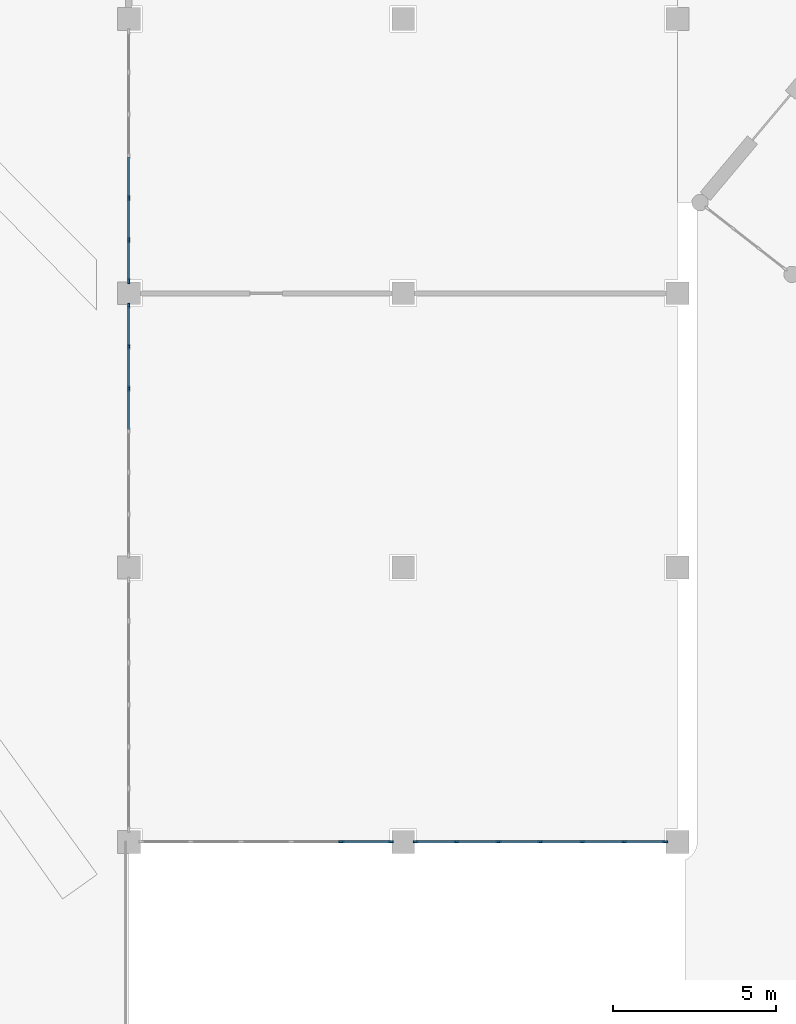
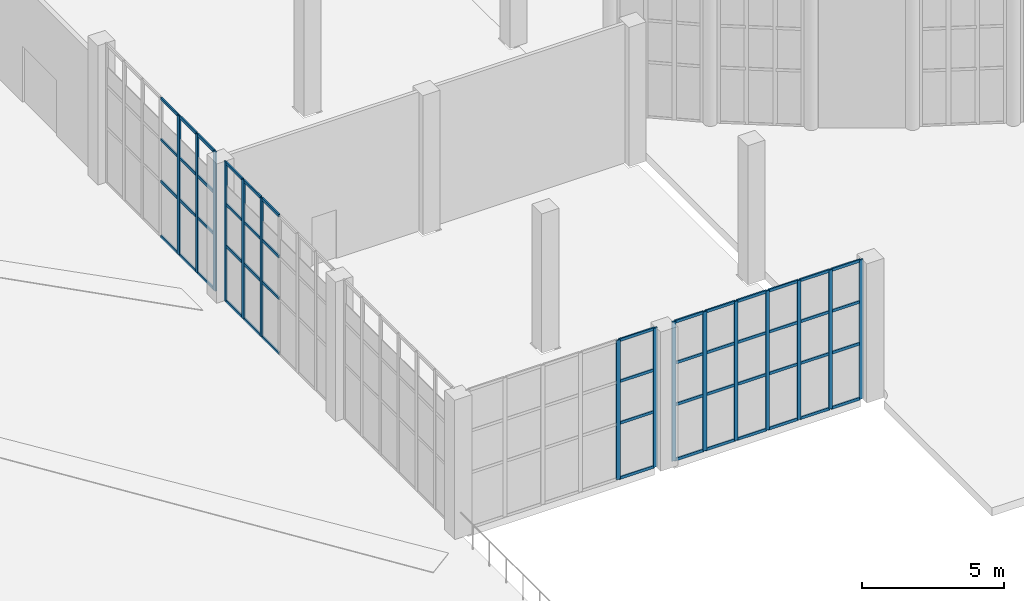
# One storey, part 43 of 210: 67 members, 4 elements without a shape of their own.
"""IFC4 building model written with IfcOpenShell, lengths in metres."""

from ifc_helpers import new_model, si_unit, direction, frame, origin, origin_2d, place, context, subcontext, project, spatial, rectangle, extrude, material, layer, layer_set, material_profile, profile_set, type_object, element, aggregate, save


model = new_model("IFC4")

# Units and contexts
model_context = context("Model", 3, precision=1e-05, world=origin(), true_north=direction((0.0, 1.0)))
body_context = subcontext(model_context, "Body", "Model", "MODEL_VIEW")
ifc_project = project(units=[si_unit("LENGTHUNIT", "METRE"), si_unit("AREAUNIT", "SQUARE_METRE"), si_unit("VOLUMEUNIT", "CUBIC_METRE"), si_unit("PLANEANGLEUNIT", "RADIAN"), si_unit("MASSUNIT", "GRAM", prefix="KILO")], contexts=[model_context])

# Site, building, storey
site_placement = place(None, origin())
site = spatial("IfcSite", under=ifc_project, at=site_placement, CompositionType="ELEMENT")
building_placement = place(site_placement, origin())
building = spatial("IfcBuilding", under=site, at=building_placement, Name="Rain Tree Exposition and Congress Centre", CompositionType="ELEMENT")
storey_placement = place(building_placement, origin())
storey = spatial("IfcBuildingStorey", under=building, at=storey_placement, Name="L00", CompositionType="ELEMENT", Elevation=0.0)

# Curtain wall, members
ifc_material_1 = material(Name="Aluminium", Category="aluminium")
ifc_layer = layer(ifc_material_1, 0.10009765625)
ifc_layer_set = layer_set([ifc_layer], Name="Aluminium")
curtain_wall_type = type_object("IfcCurtainWallType", Name="Curtain wall congress", PredefinedType="NOTDEFINED", material=ifc_layer_set)
curtain_wall_1_placement = place(storey_placement, origin())
curtain_wall_1 = element("IfcCurtainWall", 1, at=curtain_wall_1_placement, inside=storey, type_object=curtain_wall_type, Name="Foyer curtain wall L00 bay 2", PredefinedType="NOTDEFINED")
ifc_material_2 = material(Name="Aluminium", Category="aluminium")
ifc_material_profile_1 = material_profile(ifc_material_2, rectangle(XDim=0.06005859375, YDim=0.159912109375, at=origin_2d()), Name="AL 60x160")
ifc_profile_set_1 = profile_set([ifc_material_profile_1], Name="Aluminium")
member_type_1 = type_object("IfcMemberType", Name="Curtain wall mullion 60x160 congress", PredefinedType="MULLION", material=ifc_profile_set_1)
member_1_placement = place(storey_placement, frame((151.199951171875, 22.283447265625, 0.0), z_axis=(0.0, 0.0, 1.0), x_axis=(-1.0, 0.0, 0.0)))
member_1 = element("IfcMember", 2, at=member_1_placement, type_object=member_type_1, Name="CWG302 mullion 5", PredefinedType="MULLION", context=body_context, shape_type="SweptSolid", body=[
    extrude(rectangle(XDim=0.06005859375, YDim=0.159912109375, at=origin_2d()), origin(), (0.0, 0.0, 1.0), 6.0),
])
member_2_placement = place(storey_placement, frame((151.199951171875, 23.566650390625, 0.0), z_axis=(0.0, 0.0, 1.0), x_axis=(-1.0, 0.0, 0.0)))
member_2 = element("IfcMember", 3, at=member_2_placement, type_object=member_type_1, Name="CWG302 mullion 6", PredefinedType="MULLION", context=body_context, shape_type="SweptSolid", body=[
    extrude(rectangle(XDim=0.06005859375, YDim=0.159912109375, at=origin_2d()), origin(), (0.0, 0.0, 1.0), 6.0),
])
member_3_placement = place(storey_placement, frame((151.199951171875, 24.820068359375, 0.0), z_axis=(0.0, 0.0, 1.0), x_axis=(-1.0, 0.0, 0.0)))
member_3 = element("IfcMember", 4, at=member_3_placement, type_object=member_type_1, Name="CWG302 mullion 7", PredefinedType="MULLION", context=body_context, shape_type="SweptSolid", body=[
    extrude(rectangle(XDim=0.06005859375, YDim=0.159912109375, at=origin_2d()), origin(), (0.0, 0.0, 1.0), 6.0),
])

curtain_wall_2_placement = place(storey_placement, origin())
curtain_wall_2 = element("IfcCurtainWall", 5, at=curtain_wall_2_placement, inside=storey, type_object=curtain_wall_type, Name="Foyer curtain wall L00 bay 3", PredefinedType="NOTDEFINED")
member_4_placement = place(storey_placement, frame((151.199951171875, 25.580078125, 0.0), z_axis=(0.0, 0.0, 1.0), x_axis=(-1.0, 0.0, 0.0)))
member_4 = element("IfcMember", 6, at=member_4_placement, type_object=member_type_1, Name="CWG303 mullion 1", PredefinedType="MULLION", context=body_context, shape_type="SweptSolid", body=[
    extrude(rectangle(XDim=0.06005859375, YDim=0.159912109375, at=origin_2d()), origin(), (0.0, 0.0, 1.0), 6.0),
])
member_5_placement = place(storey_placement, frame((151.199951171875, 26.833251953125, 0.0), z_axis=(0.0, 0.0, 1.0), x_axis=(-1.0, 0.0, 0.0)))
member_5 = element("IfcMember", 7, at=member_5_placement, type_object=member_type_1, Name="CWG303 mullion 2", PredefinedType="MULLION", context=body_context, shape_type="SweptSolid", body=[
    extrude(rectangle(XDim=0.06005859375, YDim=0.159912109375, at=origin_2d()), origin(), (0.0, 0.0, 1.0), 6.0),
])
member_6_placement = place(storey_placement, frame((151.199951171875, 28.11669921875, 0.0), z_axis=(0.0, 0.0, 1.0), x_axis=(-1.0, 0.0, 0.0)))
member_6 = element("IfcMember", 8, at=member_6_placement, type_object=member_type_1, Name="CWG303 mullion 3", PredefinedType="MULLION", context=body_context, shape_type="SweptSolid", body=[
    extrude(rectangle(XDim=0.06005859375, YDim=0.159912109375, at=origin_2d()), origin(), (0.0, 0.0, 1.0), 6.0),
])

curtain_wall_3_placement = place(storey_placement, origin())
curtain_wall_3 = element("IfcCurtainWall", 9, at=curtain_wall_3_placement, inside=storey, type_object=curtain_wall_type, Name="Foyer south curtain wall L00 bay 1", PredefinedType="NOTDEFINED")
member_7_placement = place(storey_placement, frame((157.7099609375, 8.39990234375, 0.0), z_axis=(0.0, 0.0, 1.0), x_axis=(0.0, 1.0, 0.0)))
member_7 = element("IfcMember", 10, at=member_7_placement, type_object=member_type_1, Name="CWG501 mullion 5", PredefinedType="MULLION", context=body_context, shape_type="SweptSolid", body=[
    extrude(rectangle(XDim=0.06005859375, YDim=0.159912109375, at=origin_2d()), origin(), (0.0, 0.0, 1.0), 6.0),
])
member_8_placement = place(storey_placement, frame((159.219970703125, 8.39990234375, 0.0), z_axis=(0.0, 0.0, 1.0), x_axis=(0.0, 1.0, 0.0)))
member_8 = element("IfcMember", 11, at=member_8_placement, type_object=member_type_1, Name="CWG501 mullion 6", PredefinedType="MULLION", context=body_context, shape_type="SweptSolid", body=[
    extrude(rectangle(XDim=0.06005859375, YDim=0.159912109375, at=origin_2d()), origin(), (0.0, 0.0, 1.0), 6.0),
])

curtain_wall_4_placement = place(storey_placement, origin())
curtain_wall_4 = element("IfcCurtainWall", 12, at=curtain_wall_4_placement, inside=storey, type_object=curtain_wall_type, Name="Foyer south curtain wall L00 bay 2", PredefinedType="NOTDEFINED")
member_9_placement = place(storey_placement, frame((159.97998046875, 8.39990234375, 0.0), z_axis=(0.0, 0.0, 1.0), x_axis=(0.0, 1.0, 0.0)))
member_9 = element("IfcMember", 13, at=member_9_placement, type_object=member_type_1, Name="CWG502 mullion 1", PredefinedType="MULLION", context=body_context, shape_type="SweptSolid", body=[
    extrude(rectangle(XDim=0.06005859375, YDim=0.159912109375, at=origin_2d()), origin(), (0.0, 0.0, 1.0), 6.0),
])
member_10_placement = place(storey_placement, frame((161.2333984375, 8.39990234375, 0.0), z_axis=(0.0, 0.0, 1.0), x_axis=(0.0, 1.0, 0.0)))
member_10 = element("IfcMember", 14, at=member_10_placement, type_object=member_type_1, Name="CWG502 mullion 2", PredefinedType="MULLION", context=body_context, shape_type="SweptSolid", body=[
    extrude(rectangle(XDim=0.06005859375, YDim=0.159912109375, at=origin_2d()), origin(), (0.0, 0.0, 1.0), 6.0),
])
member_11_placement = place(storey_placement, frame((162.5166015625, 8.39990234375, 0.0), z_axis=(0.0, 0.0, 1.0), x_axis=(0.0, 1.0, 0.0)))
member_11 = element("IfcMember", 15, at=member_11_placement, type_object=member_type_1, Name="CWG502 mullion 3", PredefinedType="MULLION", context=body_context, shape_type="SweptSolid", body=[
    extrude(rectangle(XDim=0.06005859375, YDim=0.159912109375, at=origin_2d()), origin(), (0.0, 0.0, 1.0), 6.0),
])
member_12_placement = place(storey_placement, frame((163.800048828125, 8.39990234375, 0.0), z_axis=(0.0, 0.0, 1.0), x_axis=(0.0, 1.0, 0.0)))
member_12 = element("IfcMember", 16, at=member_12_placement, type_object=member_type_1, Name="CWG502 mullion 4", PredefinedType="MULLION", context=body_context, shape_type="SweptSolid", body=[
    extrude(rectangle(XDim=0.06005859375, YDim=0.159912109375, at=origin_2d()), origin(), (0.0, 0.0, 1.0), 6.0),
])
member_13_placement = place(storey_placement, frame((165.083251953125, 8.39990234375, 0.0), z_axis=(0.0, 0.0, 1.0), x_axis=(0.0, 1.0, 0.0)))
member_13 = element("IfcMember", 17, at=member_13_placement, type_object=member_type_1, Name="CWG502 mullion 5", PredefinedType="MULLION", context=body_context, shape_type="SweptSolid", body=[
    extrude(rectangle(XDim=0.06005859375, YDim=0.159912109375, at=origin_2d()), origin(), (0.0, 0.0, 1.0), 6.0),
])
member_14_placement = place(storey_placement, frame((166.36669921875, 8.39990234375, 0.0), z_axis=(0.0, 0.0, 1.0), x_axis=(0.0, 1.0, 0.0)))
member_14 = element("IfcMember", 18, at=member_14_placement, type_object=member_type_1, Name="CWG502 mullion 6", PredefinedType="MULLION", context=body_context, shape_type="SweptSolid", body=[
    extrude(rectangle(XDim=0.06005859375, YDim=0.159912109375, at=origin_2d()), origin(), (0.0, 0.0, 1.0), 6.0),
])
member_15_placement = place(storey_placement, frame((167.6201171875, 8.39990234375, 0.0), z_axis=(0.0, 0.0, 1.0), x_axis=(0.0, 1.0, 0.0)))
member_15 = element("IfcMember", 19, at=member_15_placement, type_object=member_type_1, Name="CWG502 mullion 7", PredefinedType="MULLION", context=body_context, shape_type="SweptSolid", body=[
    extrude(rectangle(XDim=0.06005859375, YDim=0.159912109375, at=origin_2d()), origin(), (0.0, 0.0, 1.0), 6.0),
])

# Member
ifc_material_3 = material(Name="Aluminium", Category="aluminium")
ifc_material_profile_2 = material_profile(ifc_material_3, rectangle(XDim=0.06005859375, YDim=0.1201171875, at=origin_2d()), Name="AL 60x120")
ifc_profile_set_2 = profile_set([ifc_material_profile_2], Name="Aluminium")
member_type_2 = type_object("IfcMemberType", Name="Curtain wall transom 60x120 congress", PredefinedType="USERDEFINED", material=ifc_profile_set_2)
member_16_placement = place(storey_placement, frame((151.199951171875, 21.030029296875, 0.030029296875), z_axis=(0.0, 1.0, 0.0), x_axis=(-1.0, 0.0, 0.0)))
member_16 = element("IfcMember", 20, at=member_16_placement, type_object=member_type_2, Name="CWG302 transom 4.1", ObjectType="TRANSOM", PredefinedType="USERDEFINED", context=body_context, shape_type="SweptSolid", body=[
    extrude(rectangle(XDim=0.06005859375, YDim=0.1201171875, at=origin_2d()), origin(), (0.0, 0.0, 1.0), 1.223388671875),
])

member_17_placement = place(storey_placement, frame((151.199951171875, 21.030029296875, 2.39990234375), z_axis=(0.0, 1.0, 0.0), x_axis=(-1.0, 0.0, 0.0)))
member_17 = element("IfcMember", 21, at=member_17_placement, type_object=member_type_2, Name="CWG302 transom 4.2", ObjectType="TRANSOM", PredefinedType="USERDEFINED", context=body_context, shape_type="SweptSolid", body=[
    extrude(rectangle(XDim=0.06005859375, YDim=0.1201171875, at=origin_2d()), origin(), (0.0, 0.0, 1.0), 1.223388671875),
])

member_18_placement = place(storey_placement, frame((151.199951171875, 21.030029296875, 4.199951171875), z_axis=(0.0, 1.0, 0.0), x_axis=(-1.0, 0.0, 0.0)))
member_18 = element("IfcMember", 22, at=member_18_placement, type_object=member_type_2, Name="CWG302 transom 4.3", ObjectType="TRANSOM", PredefinedType="USERDEFINED", context=body_context, shape_type="SweptSolid", body=[
    extrude(rectangle(XDim=0.06005859375, YDim=0.1201171875, at=origin_2d()), origin(), (0.0, 0.0, 1.0), 1.223388671875),
])

member_19_placement = place(storey_placement, frame((151.199951171875, 21.030029296875, 5.969970703125), z_axis=(0.0, 1.0, 0.0), x_axis=(-1.0, 0.0, 0.0)))
member_19 = element("IfcMember", 23, at=member_19_placement, type_object=member_type_2, Name="CWG302 transom 4.4", ObjectType="TRANSOM", PredefinedType="USERDEFINED", context=body_context, shape_type="SweptSolid", body=[
    extrude(rectangle(XDim=0.06005859375, YDim=0.1201171875, at=origin_2d()), origin(), (0.0, 0.0, 1.0), 1.223388671875),
])

member_20_placement = place(storey_placement, frame((151.199951171875, 22.313232421875, 0.030029296875), z_axis=(0.0, 1.0, 0.0), x_axis=(-1.0, 0.0, 0.0)))
member_20 = element("IfcMember", 24, at=member_20_placement, type_object=member_type_2, Name="CWG302 transom 5.1", ObjectType="TRANSOM", PredefinedType="USERDEFINED", context=body_context, shape_type="SweptSolid", body=[
    extrude(rectangle(XDim=0.06005859375, YDim=0.1201171875, at=origin_2d()), origin(), (0.0, 0.0, 1.0), 1.223388671875),
])

member_21_placement = place(storey_placement, frame((151.199951171875, 22.313232421875, 2.39990234375), z_axis=(0.0, 1.0, 0.0), x_axis=(-1.0, 0.0, 0.0)))
member_21 = element("IfcMember", 25, at=member_21_placement, type_object=member_type_2, Name="CWG302 transom 5.2", ObjectType="TRANSOM", PredefinedType="USERDEFINED", context=body_context, shape_type="SweptSolid", body=[
    extrude(rectangle(XDim=0.06005859375, YDim=0.1201171875, at=origin_2d()), origin(), (0.0, 0.0, 1.0), 1.223388671875),
])

member_22_placement = place(storey_placement, frame((151.199951171875, 22.313232421875, 4.199951171875), z_axis=(0.0, 1.0, 0.0), x_axis=(-1.0, 0.0, 0.0)))
member_22 = element("IfcMember", 26, at=member_22_placement, type_object=member_type_2, Name="CWG302 transom 5.3", ObjectType="TRANSOM", PredefinedType="USERDEFINED", context=body_context, shape_type="SweptSolid", body=[
    extrude(rectangle(XDim=0.06005859375, YDim=0.1201171875, at=origin_2d()), origin(), (0.0, 0.0, 1.0), 1.223388671875),
])

member_23_placement = place(storey_placement, frame((151.199951171875, 22.313232421875, 5.969970703125), z_axis=(0.0, 1.0, 0.0), x_axis=(-1.0, 0.0, 0.0)))
member_23 = element("IfcMember", 27, at=member_23_placement, type_object=member_type_2, Name="CWG302 transom 5.4", ObjectType="TRANSOM", PredefinedType="USERDEFINED", context=body_context, shape_type="SweptSolid", body=[
    extrude(rectangle(XDim=0.06005859375, YDim=0.1201171875, at=origin_2d()), origin(), (0.0, 0.0, 1.0), 1.223388671875),
])

member_24_placement = place(storey_placement, frame((151.199951171875, 23.5966796875, 0.030029296875), z_axis=(0.0, 1.0, 0.0), x_axis=(-1.0, 0.0, 0.0)))
member_24 = element("IfcMember", 28, at=member_24_placement, type_object=member_type_2, Name="CWG302 transom 6.1", ObjectType="TRANSOM", PredefinedType="USERDEFINED", context=body_context, shape_type="SweptSolid", body=[
    extrude(rectangle(XDim=0.06005859375, YDim=0.1201171875, at=origin_2d()), origin(), (0.0, 0.0, 1.0), 1.193359375),
])

member_25_placement = place(storey_placement, frame((151.199951171875, 23.5966796875, 2.39990234375), z_axis=(0.0, 1.0, 0.0), x_axis=(-1.0, 0.0, 0.0)))
member_25 = element("IfcMember", 29, at=member_25_placement, type_object=member_type_2, Name="CWG302 transom 6.2", ObjectType="TRANSOM", PredefinedType="USERDEFINED", context=body_context, shape_type="SweptSolid", body=[
    extrude(rectangle(XDim=0.06005859375, YDim=0.1201171875, at=origin_2d()), origin(), (0.0, 0.0, 1.0), 1.193359375),
])

member_26_placement = place(storey_placement, frame((151.199951171875, 23.5966796875, 4.199951171875), z_axis=(0.0, 1.0, 0.0), x_axis=(-1.0, 0.0, 0.0)))
member_26 = element("IfcMember", 30, at=member_26_placement, type_object=member_type_2, Name="CWG302 transom 6.3", ObjectType="TRANSOM", PredefinedType="USERDEFINED", context=body_context, shape_type="SweptSolid", body=[
    extrude(rectangle(XDim=0.06005859375, YDim=0.1201171875, at=origin_2d()), origin(), (0.0, 0.0, 1.0), 1.193359375),
])

member_27_placement = place(storey_placement, frame((151.199951171875, 23.5966796875, 5.969970703125), z_axis=(0.0, 1.0, 0.0), x_axis=(-1.0, 0.0, 0.0)))
member_27 = element("IfcMember", 31, at=member_27_placement, type_object=member_type_2, Name="CWG302 transom 6.4", ObjectType="TRANSOM", PredefinedType="USERDEFINED", context=body_context, shape_type="SweptSolid", body=[
    extrude(rectangle(XDim=0.06005859375, YDim=0.1201171875, at=origin_2d()), origin(), (0.0, 0.0, 1.0), 1.193359375),
])

aggregate(curtain_wall_1, [member_1, member_2, member_3, member_16, member_17, member_18, member_19, member_20, member_21, member_22, member_23, member_24, member_25, member_26, member_27])

member_28_placement = place(storey_placement, frame((151.199951171875, 25.610107421875, 0.030029296875), z_axis=(0.0, 1.0, 0.0), x_axis=(-1.0, 0.0, 0.0)))
member_28 = element("IfcMember", 32, at=member_28_placement, type_object=member_type_2, Name="CWG303 transom 1.1", ObjectType="TRANSOM", PredefinedType="USERDEFINED", context=body_context, shape_type="SweptSolid", body=[
    extrude(rectangle(XDim=0.06005859375, YDim=0.1201171875, at=origin_2d()), origin(), (0.0, 0.0, 1.0), 1.193115234375),
])

member_29_placement = place(storey_placement, frame((151.199951171875, 25.610107421875, 2.39990234375), z_axis=(0.0, 1.0, 0.0), x_axis=(-1.0, 0.0, 0.0)))
member_29 = element("IfcMember", 33, at=member_29_placement, type_object=member_type_2, Name="CWG303 transom 1.2", ObjectType="TRANSOM", PredefinedType="USERDEFINED", context=body_context, shape_type="SweptSolid", body=[
    extrude(rectangle(XDim=0.06005859375, YDim=0.1201171875, at=origin_2d()), origin(), (0.0, 0.0, 1.0), 1.193115234375),
])

member_30_placement = place(storey_placement, frame((151.199951171875, 25.610107421875, 4.199951171875), z_axis=(0.0, 1.0, 0.0), x_axis=(-1.0, 0.0, 0.0)))
member_30 = element("IfcMember", 34, at=member_30_placement, type_object=member_type_2, Name="CWG303 transom 1.3", ObjectType="TRANSOM", PredefinedType="USERDEFINED", context=body_context, shape_type="SweptSolid", body=[
    extrude(rectangle(XDim=0.06005859375, YDim=0.1201171875, at=origin_2d()), origin(), (0.0, 0.0, 1.0), 1.193115234375),
])

member_31_placement = place(storey_placement, frame((151.199951171875, 25.610107421875, 5.969970703125), z_axis=(0.0, 1.0, 0.0), x_axis=(-1.0, 0.0, 0.0)))
member_31 = element("IfcMember", 35, at=member_31_placement, type_object=member_type_2, Name="CWG303 transom 1.4", ObjectType="TRANSOM", PredefinedType="USERDEFINED", context=body_context, shape_type="SweptSolid", body=[
    extrude(rectangle(XDim=0.06005859375, YDim=0.1201171875, at=origin_2d()), origin(), (0.0, 0.0, 1.0), 1.193115234375),
])

member_32_placement = place(storey_placement, frame((151.199951171875, 26.86328125, 0.030029296875), z_axis=(0.0, 1.0, 0.0), x_axis=(-1.0, 0.0, 0.0)))
member_32 = element("IfcMember", 36, at=member_32_placement, type_object=member_type_2, Name="CWG303 transom 2.1", ObjectType="TRANSOM", PredefinedType="USERDEFINED", context=body_context, shape_type="SweptSolid", body=[
    extrude(rectangle(XDim=0.06005859375, YDim=0.1201171875, at=origin_2d()), origin(), (0.0, 0.0, 1.0), 1.223388671875),
])

member_33_placement = place(storey_placement, frame((151.199951171875, 26.86328125, 2.39990234375), z_axis=(0.0, 1.0, 0.0), x_axis=(-1.0, 0.0, 0.0)))
member_33 = element("IfcMember", 37, at=member_33_placement, type_object=member_type_2, Name="CWG303 transom 2.2", ObjectType="TRANSOM", PredefinedType="USERDEFINED", context=body_context, shape_type="SweptSolid", body=[
    extrude(rectangle(XDim=0.06005859375, YDim=0.1201171875, at=origin_2d()), origin(), (0.0, 0.0, 1.0), 1.223388671875),
])

member_34_placement = place(storey_placement, frame((151.199951171875, 26.86328125, 4.199951171875), z_axis=(0.0, 1.0, 0.0), x_axis=(-1.0, 0.0, 0.0)))
member_34 = element("IfcMember", 38, at=member_34_placement, type_object=member_type_2, Name="CWG303 transom 2.3", ObjectType="TRANSOM", PredefinedType="USERDEFINED", context=body_context, shape_type="SweptSolid", body=[
    extrude(rectangle(XDim=0.06005859375, YDim=0.1201171875, at=origin_2d()), origin(), (0.0, 0.0, 1.0), 1.223388671875),
])

member_35_placement = place(storey_placement, frame((151.199951171875, 26.86328125, 5.969970703125), z_axis=(0.0, 1.0, 0.0), x_axis=(-1.0, 0.0, 0.0)))
member_35 = element("IfcMember", 39, at=member_35_placement, type_object=member_type_2, Name="CWG303 transom 2.4", ObjectType="TRANSOM", PredefinedType="USERDEFINED", context=body_context, shape_type="SweptSolid", body=[
    extrude(rectangle(XDim=0.06005859375, YDim=0.1201171875, at=origin_2d()), origin(), (0.0, 0.0, 1.0), 1.223388671875),
])

member_36_placement = place(storey_placement, frame((151.199951171875, 28.146728515625, 0.030029296875), z_axis=(0.0, 1.0, 0.0), x_axis=(-1.0, 0.0, 0.0)))
member_36 = element("IfcMember", 40, at=member_36_placement, type_object=member_type_2, Name="CWG303 transom 3.1", ObjectType="TRANSOM", PredefinedType="USERDEFINED", context=body_context, shape_type="SweptSolid", body=[
    extrude(rectangle(XDim=0.06005859375, YDim=0.1201171875, at=origin_2d()), origin(), (0.0, 0.0, 1.0), 1.223388671875),
])

member_37_placement = place(storey_placement, frame((151.199951171875, 28.146728515625, 2.39990234375), z_axis=(0.0, 1.0, 0.0), x_axis=(-1.0, 0.0, 0.0)))
member_37 = element("IfcMember", 41, at=member_37_placement, type_object=member_type_2, Name="CWG303 transom 3.2", ObjectType="TRANSOM", PredefinedType="USERDEFINED", context=body_context, shape_type="SweptSolid", body=[
    extrude(rectangle(XDim=0.06005859375, YDim=0.1201171875, at=origin_2d()), origin(), (0.0, 0.0, 1.0), 1.223388671875),
])

member_38_placement = place(storey_placement, frame((151.199951171875, 28.146728515625, 4.199951171875), z_axis=(0.0, 1.0, 0.0), x_axis=(-1.0, 0.0, 0.0)))
member_38 = element("IfcMember", 42, at=member_38_placement, type_object=member_type_2, Name="CWG303 transom 3.3", ObjectType="TRANSOM", PredefinedType="USERDEFINED", context=body_context, shape_type="SweptSolid", body=[
    extrude(rectangle(XDim=0.06005859375, YDim=0.1201171875, at=origin_2d()), origin(), (0.0, 0.0, 1.0), 1.223388671875),
])

member_39_placement = place(storey_placement, frame((151.199951171875, 28.146728515625, 5.969970703125), z_axis=(0.0, 1.0, 0.0), x_axis=(-1.0, 0.0, 0.0)))
member_39 = element("IfcMember", 43, at=member_39_placement, type_object=member_type_2, Name="CWG303 transom 3.4", ObjectType="TRANSOM", PredefinedType="USERDEFINED", context=body_context, shape_type="SweptSolid", body=[
    extrude(rectangle(XDim=0.06005859375, YDim=0.1201171875, at=origin_2d()), origin(), (0.0, 0.0, 1.0), 1.223388671875),
])

aggregate(curtain_wall_2, [member_4, member_5, member_6, member_28, member_29, member_30, member_31, member_32, member_33, member_34, member_35, member_36, member_37, member_38, member_39])

member_40_placement = place(storey_placement, frame((157.739990234375, 8.39990234375, 0.030029296875), z_axis=(1.0, 0.0, 0.0), x_axis=(0.0, 1.0, 0.0)))
member_40 = element("IfcMember", 44, at=member_40_placement, type_object=member_type_2, Name="CWG501 transom 5.1", ObjectType="TRANSOM", PredefinedType="USERDEFINED", context=body_context, shape_type="SweptSolid", body=[
    extrude(rectangle(XDim=0.06005859375, YDim=0.1201171875, at=origin_2d()), origin(), (0.0, 0.0, 1.0), 1.449951171875),
])

member_41_placement = place(storey_placement, frame((157.739990234375, 8.39990234375, 2.39990234375), z_axis=(1.0, 0.0, 0.0), x_axis=(0.0, 1.0, 0.0)))
member_41 = element("IfcMember", 45, at=member_41_placement, type_object=member_type_2, Name="CWG501 transom 5.2", ObjectType="TRANSOM", PredefinedType="USERDEFINED", context=body_context, shape_type="SweptSolid", body=[
    extrude(rectangle(XDim=0.06005859375, YDim=0.1201171875, at=origin_2d()), origin(), (0.0, 0.0, 1.0), 1.449951171875),
])

member_42_placement = place(storey_placement, frame((157.739990234375, 8.39990234375, 4.199951171875), z_axis=(1.0, 0.0, 0.0), x_axis=(0.0, 1.0, 0.0)))
member_42 = element("IfcMember", 46, at=member_42_placement, type_object=member_type_2, Name="CWG501 transom 5.3", ObjectType="TRANSOM", PredefinedType="USERDEFINED", context=body_context, shape_type="SweptSolid", body=[
    extrude(rectangle(XDim=0.06005859375, YDim=0.1201171875, at=origin_2d()), origin(), (0.0, 0.0, 1.0), 1.449951171875),
])

member_43_placement = place(storey_placement, frame((157.739990234375, 8.39990234375, 5.969970703125), z_axis=(1.0, 0.0, 0.0), x_axis=(0.0, 1.0, 0.0)))
member_43 = element("IfcMember", 47, at=member_43_placement, type_object=member_type_2, Name="CWG501 transom 5.4", ObjectType="TRANSOM", PredefinedType="USERDEFINED", context=body_context, shape_type="SweptSolid", body=[
    extrude(rectangle(XDim=0.06005859375, YDim=0.1201171875, at=origin_2d()), origin(), (0.0, 0.0, 1.0), 1.449951171875),
])

aggregate(curtain_wall_3, [member_7, member_8, member_40, member_41, member_42, member_43])

member_44_placement = place(storey_placement, frame((160.010009765625, 8.39990234375, 0.030029296875), z_axis=(1.0, 0.0, 0.0), x_axis=(0.0, 1.0, 0.0)))
member_44 = element("IfcMember", 48, at=member_44_placement, type_object=member_type_2, Name="CWG502 transom 1.1", ObjectType="TRANSOM", PredefinedType="USERDEFINED", context=body_context, shape_type="SweptSolid", body=[
    extrude(rectangle(XDim=0.06005859375, YDim=0.1201171875, at=origin_2d()), origin(), (0.0, 0.0, 1.0), 1.193359375),
])

member_45_placement = place(storey_placement, frame((160.010009765625, 8.39990234375, 2.39990234375), z_axis=(1.0, 0.0, 0.0), x_axis=(0.0, 1.0, 0.0)))
member_45 = element("IfcMember", 49, at=member_45_placement, type_object=member_type_2, Name="CWG502 transom 1.2", ObjectType="TRANSOM", PredefinedType="USERDEFINED", context=body_context, shape_type="SweptSolid", body=[
    extrude(rectangle(XDim=0.06005859375, YDim=0.1201171875, at=origin_2d()), origin(), (0.0, 0.0, 1.0), 1.193359375),
])

member_46_placement = place(storey_placement, frame((160.010009765625, 8.39990234375, 4.199951171875), z_axis=(1.0, 0.0, 0.0), x_axis=(0.0, 1.0, 0.0)))
member_46 = element("IfcMember", 50, at=member_46_placement, type_object=member_type_2, Name="CWG502 transom 1.3", ObjectType="TRANSOM", PredefinedType="USERDEFINED", context=body_context, shape_type="SweptSolid", body=[
    extrude(rectangle(XDim=0.06005859375, YDim=0.1201171875, at=origin_2d()), origin(), (0.0, 0.0, 1.0), 1.193359375),
])

member_47_placement = place(storey_placement, frame((160.010009765625, 8.39990234375, 5.969970703125), z_axis=(1.0, 0.0, 0.0), x_axis=(0.0, 1.0, 0.0)))
member_47 = element("IfcMember", 51, at=member_47_placement, type_object=member_type_2, Name="CWG502 transom 1.4", ObjectType="TRANSOM", PredefinedType="USERDEFINED", context=body_context, shape_type="SweptSolid", body=[
    extrude(rectangle(XDim=0.06005859375, YDim=0.1201171875, at=origin_2d()), origin(), (0.0, 0.0, 1.0), 1.193359375),
])

member_48_placement = place(storey_placement, frame((161.263427734375, 8.39990234375, 0.030029296875), z_axis=(1.0, 0.0, 0.0), x_axis=(0.0, 1.0, 0.0)))
member_48 = element("IfcMember", 52, at=member_48_placement, type_object=member_type_2, Name="CWG502 transom 2.1", ObjectType="TRANSOM", PredefinedType="USERDEFINED", context=body_context, shape_type="SweptSolid", body=[
    extrude(rectangle(XDim=0.06005859375, YDim=0.1201171875, at=origin_2d()), origin(), (0.0, 0.0, 1.0), 1.22314453125),
])

member_49_placement = place(storey_placement, frame((161.263427734375, 8.39990234375, 2.39990234375), z_axis=(1.0, 0.0, 0.0), x_axis=(0.0, 1.0, 0.0)))
member_49 = element("IfcMember", 53, at=member_49_placement, type_object=member_type_2, Name="CWG502 transom 2.2", ObjectType="TRANSOM", PredefinedType="USERDEFINED", context=body_context, shape_type="SweptSolid", body=[
    extrude(rectangle(XDim=0.06005859375, YDim=0.1201171875, at=origin_2d()), origin(), (0.0, 0.0, 1.0), 1.22314453125),
])

member_50_placement = place(storey_placement, frame((161.263427734375, 8.39990234375, 4.199951171875), z_axis=(1.0, 0.0, 0.0), x_axis=(0.0, 1.0, 0.0)))
member_50 = element("IfcMember", 54, at=member_50_placement, type_object=member_type_2, Name="CWG502 transom 2.3", ObjectType="TRANSOM", PredefinedType="USERDEFINED", context=body_context, shape_type="SweptSolid", body=[
    extrude(rectangle(XDim=0.06005859375, YDim=0.1201171875, at=origin_2d()), origin(), (0.0, 0.0, 1.0), 1.22314453125),
])

member_51_placement = place(storey_placement, frame((161.263427734375, 8.39990234375, 5.969970703125), z_axis=(1.0, 0.0, 0.0), x_axis=(0.0, 1.0, 0.0)))
member_51 = element("IfcMember", 55, at=member_51_placement, type_object=member_type_2, Name="CWG502 transom 2.4", ObjectType="TRANSOM", PredefinedType="USERDEFINED", context=body_context, shape_type="SweptSolid", body=[
    extrude(rectangle(XDim=0.06005859375, YDim=0.1201171875, at=origin_2d()), origin(), (0.0, 0.0, 1.0), 1.22314453125),
])

member_52_placement = place(storey_placement, frame((162.546630859375, 8.39990234375, 0.030029296875), z_axis=(1.0, 0.0, 0.0), x_axis=(0.0, 1.0, 0.0)))
member_52 = element("IfcMember", 56, at=member_52_placement, type_object=member_type_2, Name="CWG502 transom 3.1", ObjectType="TRANSOM", PredefinedType="USERDEFINED", context=body_context, shape_type="SweptSolid", body=[
    extrude(rectangle(XDim=0.06005859375, YDim=0.1201171875, at=origin_2d()), origin(), (0.0, 0.0, 1.0), 1.223388671875),
])

member_53_placement = place(storey_placement, frame((162.546630859375, 8.39990234375, 2.39990234375), z_axis=(1.0, 0.0, 0.0), x_axis=(0.0, 1.0, 0.0)))
member_53 = element("IfcMember", 57, at=member_53_placement, type_object=member_type_2, Name="CWG502 transom 3.2", ObjectType="TRANSOM", PredefinedType="USERDEFINED", context=body_context, shape_type="SweptSolid", body=[
    extrude(rectangle(XDim=0.06005859375, YDim=0.1201171875, at=origin_2d()), origin(), (0.0, 0.0, 1.0), 1.223388671875),
])

member_54_placement = place(storey_placement, frame((162.546630859375, 8.39990234375, 4.199951171875), z_axis=(1.0, 0.0, 0.0), x_axis=(0.0, 1.0, 0.0)))
member_54 = element("IfcMember", 58, at=member_54_placement, type_object=member_type_2, Name="CWG502 transom 3.3", ObjectType="TRANSOM", PredefinedType="USERDEFINED", context=body_context, shape_type="SweptSolid", body=[
    extrude(rectangle(XDim=0.06005859375, YDim=0.1201171875, at=origin_2d()), origin(), (0.0, 0.0, 1.0), 1.223388671875),
])

member_55_placement = place(storey_placement, frame((162.546630859375, 8.39990234375, 5.969970703125), z_axis=(1.0, 0.0, 0.0), x_axis=(0.0, 1.0, 0.0)))
member_55 = element("IfcMember", 59, at=member_55_placement, type_object=member_type_2, Name="CWG502 transom 3.4", ObjectType="TRANSOM", PredefinedType="USERDEFINED", context=body_context, shape_type="SweptSolid", body=[
    extrude(rectangle(XDim=0.06005859375, YDim=0.1201171875, at=origin_2d()), origin(), (0.0, 0.0, 1.0), 1.223388671875),
])

member_56_placement = place(storey_placement, frame((163.830078125, 8.39990234375, 0.030029296875), z_axis=(1.0, 0.0, 0.0), x_axis=(0.0, 1.0, 0.0)))
member_56 = element("IfcMember", 60, at=member_56_placement, type_object=member_type_2, Name="CWG502 transom 4.1", ObjectType="TRANSOM", PredefinedType="USERDEFINED", context=body_context, shape_type="SweptSolid", body=[
    extrude(rectangle(XDim=0.06005859375, YDim=0.1201171875, at=origin_2d()), origin(), (0.0, 0.0, 1.0), 1.22314453125),
])

member_57_placement = place(storey_placement, frame((163.830078125, 8.39990234375, 2.39990234375), z_axis=(1.0, 0.0, 0.0), x_axis=(0.0, 1.0, 0.0)))
member_57 = element("IfcMember", 61, at=member_57_placement, type_object=member_type_2, Name="CWG502 transom 4.2", ObjectType="TRANSOM", PredefinedType="USERDEFINED", context=body_context, shape_type="SweptSolid", body=[
    extrude(rectangle(XDim=0.06005859375, YDim=0.1201171875, at=origin_2d()), origin(), (0.0, 0.0, 1.0), 1.22314453125),
])

member_58_placement = place(storey_placement, frame((163.830078125, 8.39990234375, 4.199951171875), z_axis=(1.0, 0.0, 0.0), x_axis=(0.0, 1.0, 0.0)))
member_58 = element("IfcMember", 62, at=member_58_placement, type_object=member_type_2, Name="CWG502 transom 4.3", ObjectType="TRANSOM", PredefinedType="USERDEFINED", context=body_context, shape_type="SweptSolid", body=[
    extrude(rectangle(XDim=0.06005859375, YDim=0.1201171875, at=origin_2d()), origin(), (0.0, 0.0, 1.0), 1.22314453125),
])

member_59_placement = place(storey_placement, frame((163.830078125, 8.39990234375, 5.969970703125), z_axis=(1.0, 0.0, 0.0), x_axis=(0.0, 1.0, 0.0)))
member_59 = element("IfcMember", 63, at=member_59_placement, type_object=member_type_2, Name="CWG502 transom 4.4", ObjectType="TRANSOM", PredefinedType="USERDEFINED", context=body_context, shape_type="SweptSolid", body=[
    extrude(rectangle(XDim=0.06005859375, YDim=0.1201171875, at=origin_2d()), origin(), (0.0, 0.0, 1.0), 1.22314453125),
])

member_60_placement = place(storey_placement, frame((165.11328125, 8.39990234375, 0.030029296875), z_axis=(1.0, 0.0, 0.0), x_axis=(0.0, 1.0, 0.0)))
member_60 = element("IfcMember", 64, at=member_60_placement, type_object=member_type_2, Name="CWG502 transom 5.1", ObjectType="TRANSOM", PredefinedType="USERDEFINED", context=body_context, shape_type="SweptSolid", body=[
    extrude(rectangle(XDim=0.06005859375, YDim=0.1201171875, at=origin_2d()), origin(), (0.0, 0.0, 1.0), 1.223388671875),
])

member_61_placement = place(storey_placement, frame((165.11328125, 8.39990234375, 2.39990234375), z_axis=(1.0, 0.0, 0.0), x_axis=(0.0, 1.0, 0.0)))
member_61 = element("IfcMember", 65, at=member_61_placement, type_object=member_type_2, Name="CWG502 transom 5.2", ObjectType="TRANSOM", PredefinedType="USERDEFINED", context=body_context, shape_type="SweptSolid", body=[
    extrude(rectangle(XDim=0.06005859375, YDim=0.1201171875, at=origin_2d()), origin(), (0.0, 0.0, 1.0), 1.223388671875),
])

member_62_placement = place(storey_placement, frame((165.11328125, 8.39990234375, 4.199951171875), z_axis=(1.0, 0.0, 0.0), x_axis=(0.0, 1.0, 0.0)))
member_62 = element("IfcMember", 66, at=member_62_placement, type_object=member_type_2, Name="CWG502 transom 5.3", ObjectType="TRANSOM", PredefinedType="USERDEFINED", context=body_context, shape_type="SweptSolid", body=[
    extrude(rectangle(XDim=0.06005859375, YDim=0.1201171875, at=origin_2d()), origin(), (0.0, 0.0, 1.0), 1.223388671875),
])

member_63_placement = place(storey_placement, frame((165.11328125, 8.39990234375, 5.969970703125), z_axis=(1.0, 0.0, 0.0), x_axis=(0.0, 1.0, 0.0)))
member_63 = element("IfcMember", 67, at=member_63_placement, type_object=member_type_2, Name="CWG502 transom 5.4", ObjectType="TRANSOM", PredefinedType="USERDEFINED", context=body_context, shape_type="SweptSolid", body=[
    extrude(rectangle(XDim=0.06005859375, YDim=0.1201171875, at=origin_2d()), origin(), (0.0, 0.0, 1.0), 1.223388671875),
])

member_64_placement = place(storey_placement, frame((166.396728515625, 8.39990234375, 0.030029296875), z_axis=(1.0, 0.0, 0.0), x_axis=(0.0, 1.0, 0.0)))
member_64 = element("IfcMember", 68, at=member_64_placement, type_object=member_type_2, Name="CWG502 transom 6.1", ObjectType="TRANSOM", PredefinedType="USERDEFINED", context=body_context, shape_type="SweptSolid", body=[
    extrude(rectangle(XDim=0.06005859375, YDim=0.1201171875, at=origin_2d()), origin(), (0.0, 0.0, 1.0), 1.193359375),
])

member_65_placement = place(storey_placement, frame((166.396728515625, 8.39990234375, 2.39990234375), z_axis=(1.0, 0.0, 0.0), x_axis=(0.0, 1.0, 0.0)))
member_65 = element("IfcMember", 69, at=member_65_placement, type_object=member_type_2, Name="CWG502 transom 6.2", ObjectType="TRANSOM", PredefinedType="USERDEFINED", context=body_context, shape_type="SweptSolid", body=[
    extrude(rectangle(XDim=0.06005859375, YDim=0.1201171875, at=origin_2d()), origin(), (0.0, 0.0, 1.0), 1.193359375),
])

member_66_placement = place(storey_placement, frame((166.396728515625, 8.39990234375, 4.199951171875), z_axis=(1.0, 0.0, 0.0), x_axis=(0.0, 1.0, 0.0)))
member_66 = element("IfcMember", 70, at=member_66_placement, type_object=member_type_2, Name="CWG502 transom 6.3", ObjectType="TRANSOM", PredefinedType="USERDEFINED", context=body_context, shape_type="SweptSolid", body=[
    extrude(rectangle(XDim=0.06005859375, YDim=0.1201171875, at=origin_2d()), origin(), (0.0, 0.0, 1.0), 1.193359375),
])

member_67_placement = place(storey_placement, frame((166.396728515625, 8.39990234375, 5.969970703125), z_axis=(1.0, 0.0, 0.0), x_axis=(0.0, 1.0, 0.0)))
member_67 = element("IfcMember", 71, at=member_67_placement, type_object=member_type_2, Name="CWG502 transom 6.4", ObjectType="TRANSOM", PredefinedType="USERDEFINED", context=body_context, shape_type="SweptSolid", body=[
    extrude(rectangle(XDim=0.06005859375, YDim=0.1201171875, at=origin_2d()), origin(), (0.0, 0.0, 1.0), 1.193359375),
])

aggregate(curtain_wall_4, [member_9, member_10, member_11, member_12, member_13, member_14, member_15, member_44, member_45, member_46, member_47, member_48, member_49, member_50, member_51, member_52, member_53, member_54, member_55, member_56, member_57, member_58, member_59, member_60, member_61, member_62, member_63, member_64, member_65, member_66, member_67])

save(model, "model.ifc")
